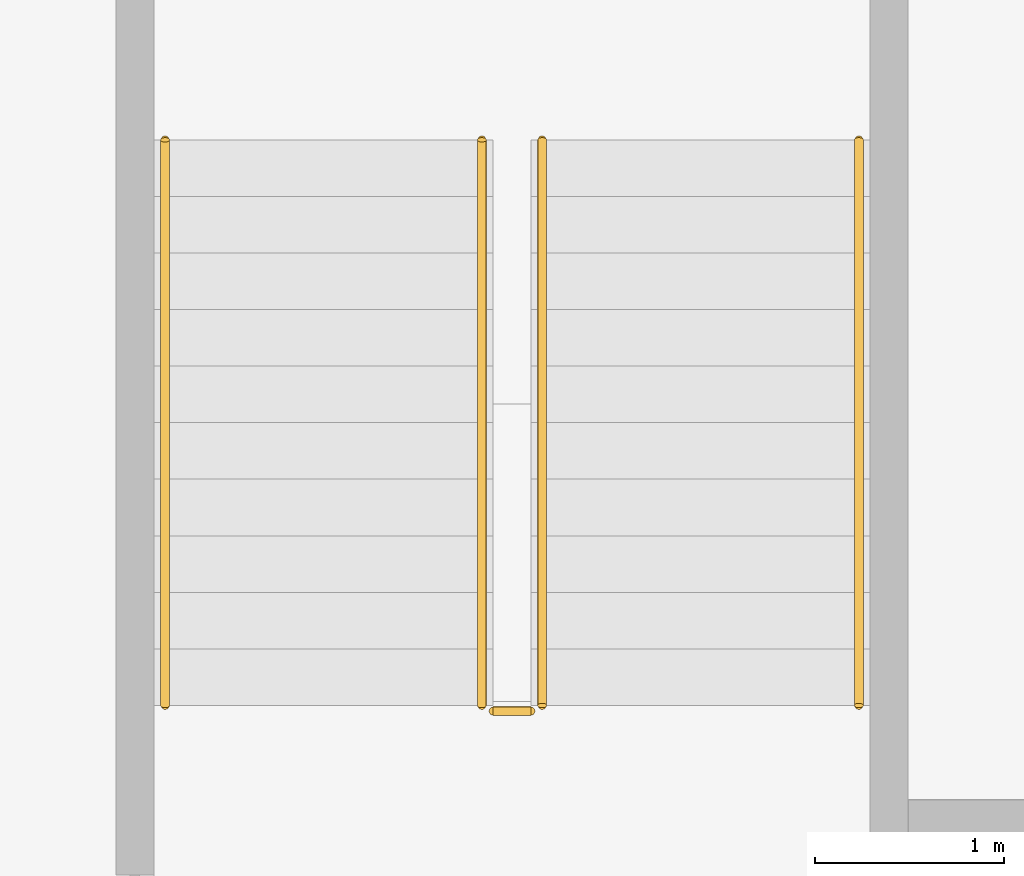
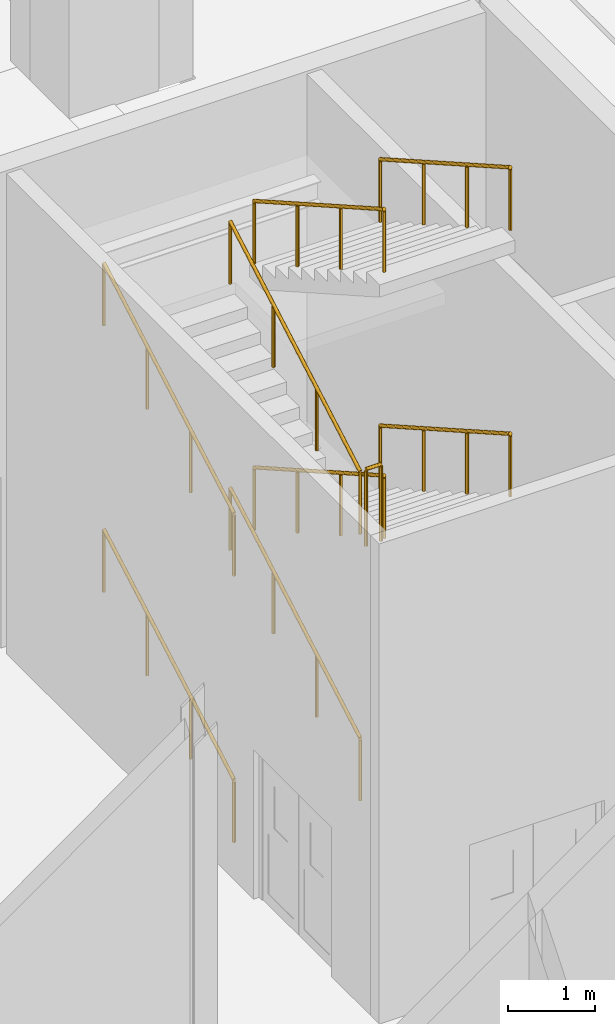
# One storey, part 218 of 250: 9 railings.
"""IFC4 building model written with IfcOpenShell, lengths in metres."""

from ifc_helpers import new_model, si_unit, direction, frame, origin, origin_2d, place, context, subcontext, project, spatial, circle, extrude, material, type_object, element, save


model = new_model("IFC4")

# Units and contexts
model_context = context("Model", 3, precision=1e-05, world=origin(), true_north=direction((0.0, 1.0)))
body_context = subcontext(model_context, "Body", "Model", "MODEL_VIEW")
ifc_project = project(units=[si_unit("LENGTHUNIT", "METRE"), si_unit("AREAUNIT", "SQUARE_METRE"), si_unit("VOLUMEUNIT", "CUBIC_METRE"), si_unit("PLANEANGLEUNIT", "RADIAN"), si_unit("MASSUNIT", "GRAM", prefix="KILO")], contexts=[model_context])

# Site, building, storey
site_placement = place(None, origin())
site = spatial("IfcSite", under=ifc_project, at=site_placement, CompositionType="ELEMENT")
building_placement = place(site_placement, origin())
building = spatial("IfcBuilding", under=site, at=building_placement, Name="Baradari Gate Terminus", CompositionType="ELEMENT")
storey_placement = place(building_placement, origin())
storey = spatial("IfcBuildingStorey", under=building, at=storey_placement, Name="L00", CompositionType="ELEMENT", Elevation=0.0)

# Railings
ifc_material_1 = material(Name="Stainless steel 1.4301", Category="steel")
railing_type_1 = type_object("IfcRailingType", Name="Guard GR-1 1100", PredefinedType="GUARDRAIL", material=ifc_material_1)
railing_placement = place(storey_placement, frame((238.60009765625, 102.77001953125, 3.75)))
element("IfcRailing", 1, at=railing_placement, inside=storey, type_object=railing_type_1, Name="Landing guard ST-H4 L00", PredefinedType="GUARDRAIL", context=body_context, shape_type="SweptSolid", body=[
    extrude(circle(Radius=0.02392578125, at=origin_2d()), frame((0.0, 0.0, 1.076171875), z_axis=(-1.0, 0.0, 0.0), x_axis=(0.0, -1.0, 0.0)), (0.0, 0.0, 1.0), 0.2001953125),
    extrude(circle(Radius=0.02099609375, at=origin_2d()), origin(), (0.0, 0.0, 1.0), 1.052001953125),
    extrude(circle(Radius=0.02099609375, at=origin_2d()), frame((-0.2001953125, 0.0, 0.0)), (0.0, 0.0, 1.0), 1.052001953125),
])
ifc_material_2 = material(Name="Stainless steel 1.4301", Category="steel")
railing_type_2 = type_object("IfcRailingType", Name="Handrail HR-1 900", PredefinedType="HANDRAIL", material=ifc_material_2)
for number, where, name in (
    (2, (236.659912109375, 102.800048828125, 0.17041015625), "Handrail ST-H4 L00 flight 1"),
    (3, (238.340087890625, 102.800048828125, 0.17041015625), "Handrail ST-H4 L00 flight 1"),
):
    element("IfcRailing", number, at=place(storey_placement, frame(where)), inside=storey, type_object=railing_type_2, Name=name, PredefinedType="HANDRAIL", context=body_context, shape_type="SweptSolid", body=[
        extrude(circle(Radius=0.02392578125, at=origin_2d()), frame((0.0, 0.0, 0.8759765625), z_axis=(0.0, 0.869451031676, 0.494019132744), x_axis=(-1.0, 0.0, 0.0)), (0.0, 0.0, 1.0), 3.450439453125),
        extrude(circle(Radius=0.02099609375, at=origin_2d()), origin(), (0.0, 0.0, 1.0), 0.851806640625),
        extrude(circle(Radius=0.02099609375, at=origin_2d()), frame((0.0, 1.0, 0.568115234375)), (0.0, 0.0, 1.0), 0.851806640625),
        extrude(circle(Radius=0.02099609375, at=origin_2d()), frame((0.0, 2.0, 1.136474609375)), (0.0, 0.0, 1.0), 0.851806640625),
        extrude(circle(Radius=0.02099609375, at=origin_2d()), frame((0.0, 3.0, 1.70458984375)), (0.0, 0.0, 1.0), 0.851806640625),
    ])
for number, where, name in (
    (4, (238.659912109375, 105.800048828125, 2.04541015625), "Handrail ST-H4 L00 flight 2"),
    (5, (240.340087890625, 105.800048828125, 2.04541015625), "Handrail ST-H4 L00 flight 2"),
):
    element("IfcRailing", number, at=place(storey_placement, frame(where)), inside=storey, type_object=railing_type_2, Name=name, PredefinedType="HANDRAIL", context=body_context, shape_type="SweptSolid", body=[
        extrude(circle(Radius=0.02392578125, at=origin_2d()), frame((0.0, 0.0, 0.8759765625), z_axis=(0.0, -0.869451031676, 0.494019132744), x_axis=(1.0, 0.0, 0.0)), (0.0, 0.0, 1.0), 3.450439453125),
        extrude(circle(Radius=0.02099609375, at=origin_2d()), origin(), (0.0, 0.0, 1.0), 0.851806640625),
        extrude(circle(Radius=0.02099609375, at=origin_2d()), frame((0.0, -1.0, 0.568115234375)), (0.0, 0.0, 1.0), 0.851806640625),
        extrude(circle(Radius=0.02099609375, at=origin_2d()), frame((0.0, -2.0, 1.136474609375)), (0.0, 0.0, 1.0), 0.851806640625),
        extrude(circle(Radius=0.02099609375, at=origin_2d()), frame((0.0, -3.0, 1.70458984375)), (0.0, 0.0, 1.0), 0.851806640625),
    ])
for number, where, name in (
    (6, (236.659912109375, 102.800048828125, 3.92041015625), "Handrail ST-H4 L00 flight 3"),
    (7, (238.340087890625, 102.800048828125, 3.92041015625), "Handrail ST-H4 L00 flight 3"),
):
    element("IfcRailing", number, at=place(storey_placement, frame(where)), inside=storey, type_object=railing_type_2, Name=name, PredefinedType="HANDRAIL", context=body_context, shape_type="SweptSolid", body=[
        extrude(circle(Radius=0.02392578125, at=origin_2d()), frame((0.0, 0.0, 0.8759765625), z_axis=(0.0, 0.869451031676, 0.494019132744), x_axis=(-1.0, 0.0, 0.0)), (0.0, 0.0, 1.0), 3.450439453125),
        extrude(circle(Radius=0.02099609375, at=origin_2d()), origin(), (0.0, 0.0, 1.0), 0.851806640625),
        extrude(circle(Radius=0.02099609375, at=origin_2d()), frame((0.0, 1.0, 0.568115234375)), (0.0, 0.0, 1.0), 0.851806640625),
        extrude(circle(Radius=0.02099609375, at=origin_2d()), frame((0.0, 2.0, 1.136474609375)), (0.0, 0.0, 1.0), 0.851806640625),
        extrude(circle(Radius=0.02099609375, at=origin_2d()), frame((0.0, 3.0, 1.70458984375)), (0.0, 0.0, 1.0), 0.851806640625),
    ])
for number, where, name in (
    (8, (238.659912109375, 105.800048828125, 5.79541015625), "Handrail ST-H4 L00 flight 4"),
    (9, (240.340087890625, 105.800048828125, 5.79541015625), "Handrail ST-H4 L00 flight 4"),
):
    element("IfcRailing", number, at=place(storey_placement, frame(where)), inside=storey, type_object=railing_type_2, Name=name, PredefinedType="HANDRAIL", context=body_context, shape_type="SweptSolid", body=[
        extrude(circle(Radius=0.02392578125, at=origin_2d()), frame((0.0, 0.0, 0.8759765625), z_axis=(0.0, -0.869451031676, 0.494019132744), x_axis=(1.0, 0.0, 0.0)), (0.0, 0.0, 1.0), 3.450439453125),
        extrude(circle(Radius=0.02099609375, at=origin_2d()), origin(), (0.0, 0.0, 1.0), 0.851806640625),
        extrude(circle(Radius=0.02099609375, at=origin_2d()), frame((0.0, -1.0, 0.568115234375)), (0.0, 0.0, 1.0), 0.851806640625),
        extrude(circle(Radius=0.02099609375, at=origin_2d()), frame((0.0, -2.0, 1.136474609375)), (0.0, 0.0, 1.0), 0.851806640625),
        extrude(circle(Radius=0.02099609375, at=origin_2d()), frame((0.0, -3.0, 1.70458984375)), (0.0, 0.0, 1.0), 0.851806640625),
    ])

save(model, "model.ifc")
